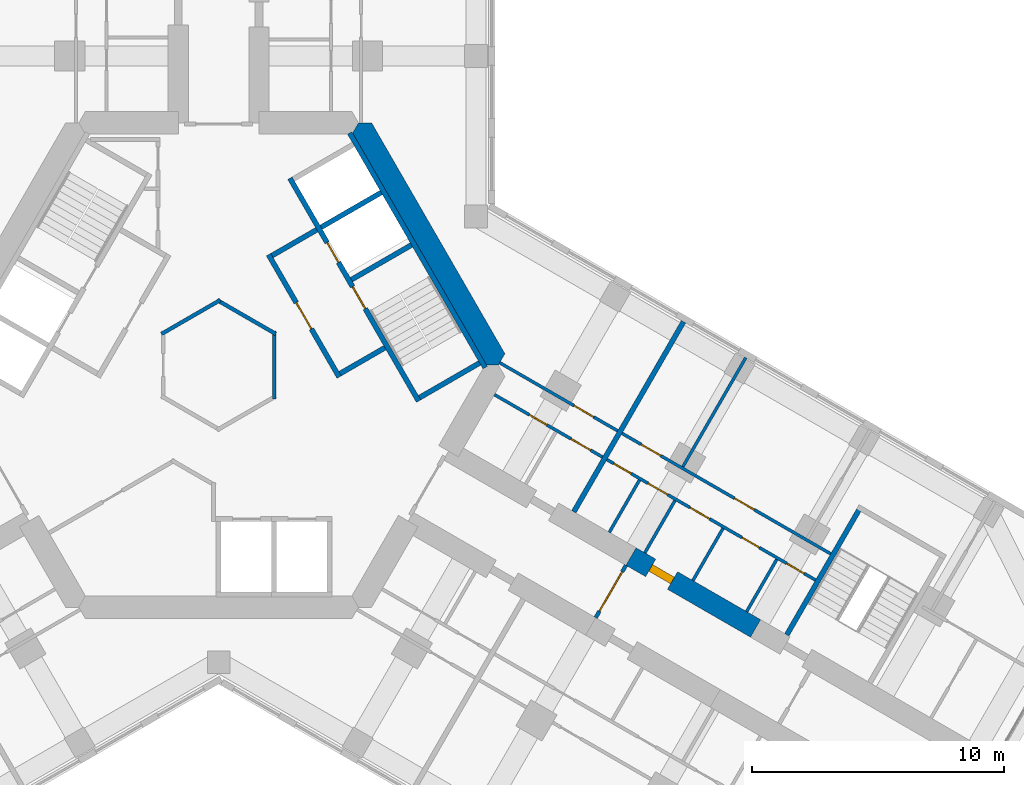
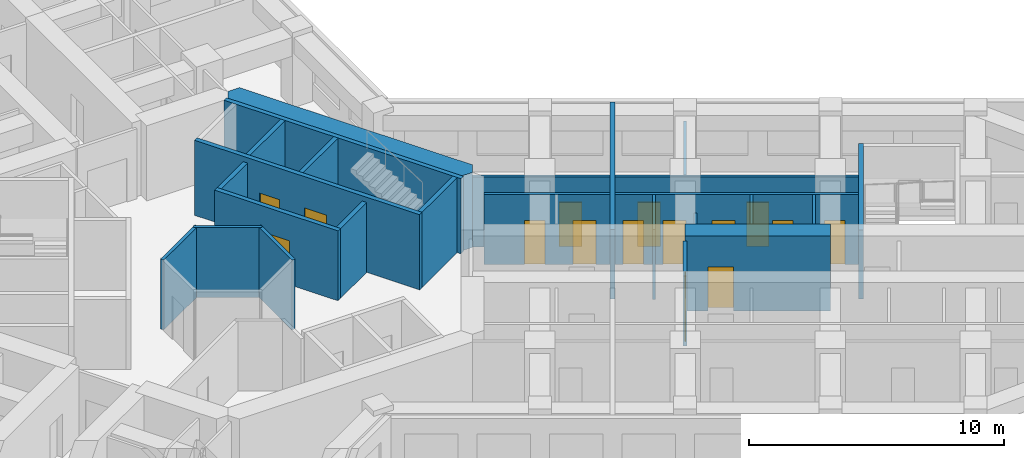
# One storey, part 15 of 19: 25 walls, 15 doors, 15 openings.
"""IFC4 building model written with IfcOpenShell, lengths in metres."""

from ifc_helpers import new_model, si_unit, direction, frame, frame_2d, origin, place, context, subcontext, project, spatial, polyline, rectangle, outline, extrude, material, layer, layer_set, type_object, element, fill, save


model = new_model("IFC4")

# Units and contexts
model_context = context("Model", 3, precision=1e-05, world=origin(), true_north=direction((0.0, 1.0)))
body_context = subcontext(model_context, "Body", "Model", "MODEL_VIEW")
ifc_project = project(units=[si_unit("LENGTHUNIT", "METRE"), si_unit("AREAUNIT", "SQUARE_METRE"), si_unit("VOLUMEUNIT", "CUBIC_METRE"), si_unit("PLANEANGLEUNIT", "RADIAN"), si_unit("MASSUNIT", "GRAM", prefix="KILO")], contexts=[model_context])

# Site, building, storey
site_placement = place(None, origin())
site = spatial("IfcSite", under=ifc_project, at=site_placement, CompositionType="ELEMENT")
building_placement = place(site_placement, origin())
building = spatial("IfcBuilding", under=site, at=building_placement, Name="Kosmar Iwan School Tower", CompositionType="ELEMENT")
storey_placement = place(building_placement, frame((0.0, 0.0, 145.39990234375)))
storey = spatial("IfcBuildingStorey", under=building, at=storey_placement, Name="L36", CompositionType="ELEMENT", Elevation=145.39990234375)

# Walls
ifc_material_1 = material(Name="Gypsum board on steel studs, fire-rated", Category="steel")
ifc_layer_1 = layer(ifc_material_1, 0.14990234375)
ifc_layer_set_1 = layer_set([ifc_layer_1], Name="Core room partition 150")
wall_type_1 = type_object("IfcWallType", Name="Core room partition 150", PredefinedType="PARTITIONING", material=ifc_layer_set_1)
for number, where, z_axis, x_axis, name in (
    (1, (-2.264892578125, 1.232666015625, 0.0), (0.0, 0.0, 1.0), (0.866011792348, 0.500023574959, 0.0), "Core room partition L36-CW11"),
    (2, (-0.06494140625, 2.577880859375, 0.0), (0.0, 0.0, 1.0), (0.866011792348, -0.500023574959, 0.0), "Core room partition L36-CW12"),
):
    element("IfcWall", number, at=place(storey_placement, frame(where, z_axis=z_axis, x_axis=x_axis)), inside=storey, type_object=wall_type_1, Name=name, PredefinedType="PARTITIONING", context=body_context, shape_type="SweptSolid", body=[
        extrude(rectangle(XDim=2.690185546875, YDim=0.14990234375, at=frame_2d((1.34521484375, 0.0))), origin(), (0.0, 0.0, 1.0), 3.35009765625),
    ])
wall_1_placement = place(storey_placement, frame((2.199951171875, 1.34521484375, 0.0), z_axis=(0.0, 0.0, 1.0), x_axis=(0.0, -1.0, 0.0)))
element("IfcWall", 3, at=wall_1_placement, inside=storey, type_object=wall_type_1, Name="Core room partition L36-CW13", PredefinedType="PARTITIONING", context=body_context, shape_type="SweptSolid", body=[
    extrude(rectangle(XDim=2.6904296875, YDim=0.14990234375, at=frame_2d((1.34521484375, 0.0))), origin(), (0.0, 0.0, 1.0), 3.35009765625),
])
ifc_material_2 = material(Name="Concrete C50/60", Category="concrete")
ifc_layer_2 = layer(ifc_material_2, 0.89990234375)
ifc_layer_set_2 = layer_set([ifc_layer_2], Name="Core wall 900")
wall_type_2 = type_object("IfcWallType", Name="Core wall 900", PredefinedType="SHEAR", material=ifc_layer_set_2)
wall_2_placement = place(storey_placement, origin())
element("IfcWall", 4, at=wall_2_placement, inside=storey, type_object=wall_type_2, Name="Core wall F030", PredefinedType="SHEAR", context=body_context, shape_type="SweptSolid", body=[
    extrude(outline(polyline([(10.5654296875, 0.0), (11.085205078125, 0.0), (11.344970703125, 0.449951171875), (6.062255859375, 9.60009765625), (5.54248046875, 9.60009765625), (5.28271484375, 9.14990234375), (10.5654296875, 0.0)])), origin(), (0.0, 0.0, 1.0), 3.60009765625),
])

# Wall, opening, door
ifc_material_3 = material(Name="Concrete C50/60", Category="concrete")
ifc_layer_3 = layer(ifc_material_3, 0.800048828125)
ifc_layer_set_3 = layer_set([ifc_layer_3], Name="Corridor buttress wall 800")
wall_type_3 = type_object("IfcWallType", Name="Corridor buttress wall 800", PredefinedType="SHEAR", material=ifc_layer_set_3)
wall_3_placement = place(storey_placement, frame((16.34521484375, -7.58935546875, 0.0), z_axis=(0.0, 0.0, 1.0), x_axis=(0.866015111908, -0.50001782563, 0.0)))
wall_3 = element("IfcWall", 5, at=wall_3_placement, inside=storey, type_object=wall_type_3, Name="Corridor wall CL bay 2", PredefinedType="SHEAR", context=body_context, shape_type="SweptSolid", body=[
    extrude(rectangle(XDim=5.699951171875, YDim=0.800048828125, at=frame_2d((2.85009765625, 0.0))), origin(), (0.0, 0.0, 1.0), 3.60009765625),
])
opening_1_placement = place(wall_3_placement, frame((0.89990234375, 0.0, 0.0)))
opening_1 = element("IfcOpeningElement", 6, at=opening_1_placement, cuts=wall_3, Name="Opening D1", PredefinedType="OPENING", context=body_context, shape_type="SweptSolid", body=[
    extrude(rectangle(XDim=1.0, YDim=2.10009765625, at=frame_2d((0.5, 1.050048828125))), frame((0.0, 0.412109375, 0.0), z_axis=(0.0, -1.0, 0.0), x_axis=(1.0, 0.0, 0.0)), (0.0, 0.0, 1.0), 0.823974609375),
])
ifc_material_4 = material(Name="Timber fire door in steel frame", Category="steel")
door_type_1 = type_object("IfcDoorType", Name="Flat entrance door 1000x2100", OperationType="SINGLE_SWING_LEFT", PredefinedType="DOOR", material=ifc_material_4)
door_1_placement = place(opening_1_placement, origin())
door_1 = element("IfcDoor", 7, at=door_1_placement, inside=storey, type_object=door_type_1, Name="Flat L36-CL2 entrance door", OperationType="SINGLE_SWING_LEFT", OverallHeight=2.10009765625, OverallWidth=1.0, PredefinedType="DOOR", context=body_context, shape_type="SweptSolid", body=[
    extrude(rectangle(XDim=1.0, YDim=2.10009765625, at=frame_2d((0.5, 1.050048828125))), frame((0.0, 0.14990234375, 0.0), z_axis=(0.0, -1.0, 0.0), x_axis=(1.0, 0.0, 0.0)), (0.0, 0.0, 1.0), 0.300048828125),
])
fill(opening_1, door_1)

ifc_material_5 = material(Name="Gypsum board on steel studs, fire-rated", Category="steel")
ifc_layer_4 = layer(ifc_material_5, 0.14990234375)
ifc_layer_set_4 = layer_set([ifc_layer_4], Name="Corridor end wall 150")
wall_type_4 = type_object("IfcWallType", Name="Corridor end wall 150", PredefinedType="PARTITIONING", material=ifc_layer_set_4)
wall_4_placement = place(storey_placement, frame((14.945068359375, -10.01416015625, 0.0), z_axis=(0.0, 0.0, 1.0), x_axis=(0.500077600433, 0.865980596518, 0.0)))
wall_4 = element("IfcWall", 8, at=wall_4_placement, inside=storey, type_object=wall_type_4, Name="Partition L36-C-HW", PredefinedType="PARTITIONING", context=body_context, shape_type="SweptSolid", body=[
    extrude(rectangle(XDim=2.39990234375, YDim=0.14990234375, at=frame_2d((1.199951171875, 0.0))), origin(), (0.0, 0.0, 1.0), 3.35009765625),
])
opening_2_placement = place(wall_4_placement, frame((0.300048828125, 0.0, 0.0)))
opening_2 = element("IfcOpeningElement", 9, at=opening_2_placement, cuts=wall_4, Name="Opening D9", PredefinedType="OPENING", context=body_context, shape_type="SweptSolid", body=[
    extrude(rectangle(XDim=1.800048828125, YDim=2.10009765625, at=frame_2d((0.89990234375, 1.050048828125))), frame((0.0, 0.0869140625, 0.0), z_axis=(0.0, -1.0, 0.0), x_axis=(1.0, 0.0, 0.0)), (0.0, 0.0, 1.0), 0.173828125),
])
ifc_material_6 = material(Name="Steel framed glazed smoke door", Category="steel")
door_type_2 = type_object("IfcDoorType", Name="Corridor smoke door pair 1800x2100", OperationType="DOUBLE_DOOR_DOUBLE_SWING", PredefinedType="DOOR", material=ifc_material_6)
door_2_placement = place(opening_2_placement, origin())
door_2 = element("IfcDoor", 10, at=door_2_placement, inside=storey, type_object=door_type_2, Name="Hashti vestibule smoke doors L36-C", OperationType="DOUBLE_DOOR_DOUBLE_SWING", OverallHeight=2.10009765625, OverallWidth=1.800048828125, PredefinedType="DOOR", context=body_context, shape_type="SweptSolid", body=[
    extrude(rectangle(XDim=1.800048828125, YDim=2.10009765625, at=frame_2d((0.89990234375, 1.050048828125))), frame((0.0, 0.02490234375, 0.0), z_axis=(0.0, -1.0, 0.0), x_axis=(1.0, 0.0, 0.0)), (0.0, 0.0, 1.0), 0.050048828125),
])
fill(opening_2, door_2)

# Wall, openings, doors
ifc_material_7 = material(Name="Gypsum board on steel studs", Category="steel")
ifc_layer_5 = layer(ifc_material_7, 0.1201171875)
ifc_layer_set_5 = layer_set([ifc_layer_5], Name="Dwelling partition 120")
wall_type_5 = type_object("IfcWallType", Name="Dwelling partition 120", PredefinedType="PARTITIONING", material=ifc_layer_set_5)
wall_5_placement = place(storey_placement, frame((10.928466796875, -1.171142578125, 0.0), z_axis=(0.0, 0.0, 1.0), x_axis=(0.866018855338, -0.500011342071, 0.0)))
wall_5 = element("IfcWall", 11, at=wall_5_placement, inside=storey, type_object=wall_type_5, Name="Partition L36-CL1-W1", PredefinedType="PARTITIONING", context=body_context, shape_type="SweptSolid", body=[
    extrude(rectangle(XDim=4.9501953125, YDim=0.1201171875, at=frame_2d((2.47509765625, 0.0))), origin(), (0.0, 0.0, 1.0), 3.35009765625),
])
opening_3_placement = place(wall_5_placement, frame((1.60009765625, 0.0, 0.0)))
opening_3 = element("IfcOpeningElement", 12, at=opening_3_placement, cuts=wall_5, Name="Opening D3", PredefinedType="OPENING", context=body_context, shape_type="SweptSolid", body=[
    extrude(rectangle(XDim=0.800048828125, YDim=2.10009765625, at=frame_2d((0.39990234375, 1.050048828125))), frame((0.0, 0.072021484375, 0.0), z_axis=(0.0, -1.0, 0.0), x_axis=(1.0, 0.0, 0.0)), (0.0, 0.0, 1.0), 0.14404296875),
])
opening_4_placement = place(wall_5_placement, frame((3.5, 0.0, 0.0)))
opening_4 = element("IfcOpeningElement", 13, at=opening_4_placement, cuts=wall_5, Name="Opening D2", PredefinedType="OPENING", context=body_context, shape_type="SweptSolid", body=[
    extrude(rectangle(XDim=0.89990234375, YDim=2.10009765625, at=frame_2d((0.449951171875, 1.050048828125))), frame((0.0, 0.072021484375, 0.0), z_axis=(0.0, -1.0, 0.0), x_axis=(1.0, 0.0, 0.0)), (0.0, 0.0, 1.0), 0.14404296875),
])
ifc_material_8 = material(Name="Timber door in timber frame", Category="wood")
door_type_3 = type_object("IfcDoorType", Name="Internal door 900x2100", OperationType="SINGLE_SWING_LEFT", PredefinedType="DOOR", material=ifc_material_8)
door_3_placement = place(opening_4_placement, origin())
door_3 = element("IfcDoor", 14, at=door_3_placement, inside=storey, type_object=door_type_3, Name="Entrance hall door L36-CL1-S2", OperationType="SINGLE_SWING_RIGHT", OverallHeight=2.10009765625, OverallWidth=0.89990234375, PredefinedType="DOOR", context=body_context, shape_type="SweptSolid", body=[
    extrude(rectangle(XDim=0.89990234375, YDim=2.10009765625, at=frame_2d((0.449951171875, 1.050048828125))), frame((0.0, 0.02490234375, 0.0), z_axis=(0.0, -1.0, 0.0), x_axis=(1.0, 0.0, 0.0)), (0.0, 0.0, 1.0), 0.050048828125),
])
fill(opening_4, door_3)
ifc_material_9 = material(Name="Timber door in timber frame", Category="wood")
door_type_4 = type_object("IfcDoorType", Name="Sanitary room door 800x2100", OperationType="SINGLE_SWING_LEFT", PredefinedType="DOOR", material=ifc_material_9)
door_4_placement = place(opening_3_placement, origin())
door_4 = element("IfcDoor", 15, at=door_4_placement, inside=storey, type_object=door_type_4, Name="Bathroom door L36-CL1-S1", OperationType="SINGLE_SWING_LEFT", OverallHeight=2.10009765625, OverallWidth=0.800048828125, PredefinedType="DOOR", context=body_context, shape_type="SweptSolid", body=[
    extrude(rectangle(XDim=0.800048828125, YDim=2.10009765625, at=frame_2d((0.39990234375, 1.050048828125))), frame((0.0, 0.02490234375, 0.0), z_axis=(0.0, -1.0, 0.0), x_axis=(1.0, 0.0, 0.0)), (0.0, 0.0, 1.0), 0.050048828125),
])
fill(opening_3, door_4)

# Wall, opening, door
wall_6_placement = place(storey_placement, frame((11.138916015625, 0.093017578125, 0.0), z_axis=(0.0, 0.0, 1.0), x_axis=(0.866028230842, -0.499995103361, 0.0)))
wall_6 = element("IfcWall", 16, at=wall_6_placement, inside=storey, type_object=wall_type_5, Name="Partition L36-CL1-W2", PredefinedType="PARTITIONING", context=body_context, shape_type="SweptSolid", body=[
    extrude(rectangle(XDim=5.39990234375, YDim=0.1201171875, at=frame_2d((2.699951171875, 0.0))), origin(), (0.0, 0.0, 1.0), 3.35009765625),
])
opening_5_placement = place(wall_6_placement, frame((3.39990234375, 0.0, 0.0)))
opening_5 = element("IfcOpeningElement", 17, at=opening_5_placement, cuts=wall_6, Name="Opening D2", PredefinedType="OPENING", context=body_context, shape_type="SweptSolid", body=[
    extrude(rectangle(XDim=0.89990234375, YDim=2.10009765625, at=frame_2d((0.449951171875, 1.050048828125))), frame((0.0, 0.072021484375, 0.0), z_axis=(0.0, -1.0, 0.0), x_axis=(1.0, 0.0, 0.0)), (0.0, 0.0, 1.0), 0.14404296875),
])
door_5_placement = place(opening_5_placement, origin())
door_5 = element("IfcDoor", 18, at=door_5_placement, inside=storey, type_object=door_type_3, Name="Studio living room and kitchen door L36-CL1-F1", OperationType="SINGLE_SWING_RIGHT", OverallHeight=2.10009765625, OverallWidth=0.89990234375, PredefinedType="DOOR", context=body_context, shape_type="SweptSolid", body=[
    extrude(rectangle(XDim=0.89990234375, YDim=2.10009765625, at=frame_2d((0.449951171875, 1.050048828125))), frame((0.0, 0.02490234375, 0.0), z_axis=(0.0, -1.0, 0.0), x_axis=(1.0, 0.0, 0.0)), (0.0, 0.0, 1.0), 0.050048828125),
])
fill(opening_5, door_5)

# Wall, openings, doors
wall_7_placement = place(storey_placement, frame((15.388671875, -3.74609375, 0.0), z_axis=(0.0, 0.0, 1.0), x_axis=(0.866017851049, -0.500013081493, 0.0)))
wall_7 = element("IfcWall", 19, at=wall_7_placement, inside=storey, type_object=wall_type_5, Name="Partition L36-CL2-W1", PredefinedType="PARTITIONING", context=body_context, shape_type="SweptSolid", body=[
    extrude(rectangle(XDim=9.550048828125, YDim=0.1201171875, at=frame_2d((4.77490234375, 0.0))), origin(), (0.0, 0.0, 1.0), 3.35009765625),
])
opening_6_placement = place(wall_7_placement, frame((0.3125, 0.0, 0.0)))
opening_6 = element("IfcOpeningElement", 20, at=opening_6_placement, cuts=wall_7, Name="Opening D3", PredefinedType="OPENING", context=body_context, shape_type="SweptSolid", body=[
    extrude(rectangle(XDim=0.800048828125, YDim=2.10009765625, at=frame_2d((0.39990234375, 1.050048828125))), frame((0.0, 0.072021484375, 0.0), z_axis=(0.0, -1.0, 0.0), x_axis=(1.0, 0.0, 0.0)), (0.0, 0.0, 1.0), 0.14404296875),
])
opening_7_placement = place(wall_7_placement, frame((1.887451171875, 0.0, 0.0)))
opening_7 = element("IfcOpeningElement", 21, at=opening_7_placement, cuts=wall_7, Name="Opening D2", PredefinedType="OPENING", context=body_context, shape_type="SweptSolid", body=[
    extrude(rectangle(XDim=0.89990234375, YDim=2.10009765625, at=frame_2d((0.449951171875, 1.050048828125))), frame((0.0, 0.072021484375, 0.0), z_axis=(0.0, -1.0, 0.0), x_axis=(1.0, 0.0, 0.0)), (0.0, 0.0, 1.0), 0.14404296875),
])
opening_8_placement = place(wall_7_placement, frame((3.800048828125, 0.0, 0.0)))
opening_8 = element("IfcOpeningElement", 22, at=opening_8_placement, cuts=wall_7, Name="Opening D2", PredefinedType="OPENING", context=body_context, shape_type="SweptSolid", body=[
    extrude(rectangle(XDim=0.89990234375, YDim=2.10009765625, at=frame_2d((0.449951171875, 1.050048828125))), frame((0.0, 0.072021484375, 0.0), z_axis=(0.0, -1.0, 0.0), x_axis=(1.0, 0.0, 0.0)), (0.0, 0.0, 1.0), 0.14404296875),
])
opening_9_placement = place(wall_7_placement, frame((6.179931640625, 0.0, 0.0)))
opening_9 = element("IfcOpeningElement", 23, at=opening_9_placement, cuts=wall_7, Name="Opening D3", PredefinedType="OPENING", context=body_context, shape_type="SweptSolid", body=[
    extrude(rectangle(XDim=0.800048828125, YDim=2.10009765625, at=frame_2d((0.39990234375, 1.050048828125))), frame((0.0, 0.072021484375, 0.0), z_axis=(0.0, -1.0, 0.0), x_axis=(1.0, 0.0, 0.0)), (0.0, 0.0, 1.0), 0.14404296875),
])
opening_10_placement = place(wall_7_placement, frame((8.22998046875, 0.0, 0.0)))
opening_10 = element("IfcOpeningElement", 24, at=opening_10_placement, cuts=wall_7, Name="Opening D3", PredefinedType="OPENING", context=body_context, shape_type="SweptSolid", body=[
    extrude(rectangle(XDim=0.800048828125, YDim=2.10009765625, at=frame_2d((0.39990234375, 1.050048828125))), frame((0.0, 0.072021484375, 0.0), z_axis=(0.0, -1.0, 0.0), x_axis=(1.0, 0.0, 0.0)), (0.0, 0.0, 1.0), 0.14404296875),
])
door_6_placement = place(opening_7_placement, frame((0.89990234375, 0.0, 0.0), z_axis=(0.0, 0.0, 1.0), x_axis=(-1.0, 0.0, 0.0)))
door_6 = element("IfcDoor", 25, at=door_6_placement, inside=storey, type_object=door_type_3, Name="Pantry door L36-CL2-S2", OperationType="SINGLE_SWING_RIGHT", OverallHeight=2.10009765625, OverallWidth=0.89990234375, PredefinedType="DOOR", context=body_context, shape_type="SweptSolid", body=[
    extrude(rectangle(XDim=0.89990234375, YDim=2.10009765625, at=frame_2d((0.449951171875, 1.050048828125))), frame((0.0, 0.02490234375, 0.0), z_axis=(0.0, -1.0, 0.0), x_axis=(1.0, 0.0, 0.0)), (0.0, 0.0, 1.0), 0.050048828125),
])
fill(opening_7, door_6)
door_7_placement = place(opening_8_placement, origin())
door_7 = element("IfcDoor", 26, at=door_7_placement, inside=storey, type_object=door_type_3, Name="Entrance hall door L36-CL2-S3", OperationType="SINGLE_SWING_LEFT", OverallHeight=2.10009765625, OverallWidth=0.89990234375, PredefinedType="DOOR", context=body_context, shape_type="SweptSolid", body=[
    extrude(rectangle(XDim=0.89990234375, YDim=2.10009765625, at=frame_2d((0.449951171875, 1.050048828125))), frame((0.0, 0.02490234375, 0.0), z_axis=(0.0, -1.0, 0.0), x_axis=(1.0, 0.0, 0.0)), (0.0, 0.0, 1.0), 0.050048828125),
])
fill(opening_8, door_7)
door_8_placement = place(opening_6_placement, origin())
door_8 = element("IfcDoor", 27, at=door_8_placement, inside=storey, type_object=door_type_4, Name="Store door L36-CL2-S1", OperationType="SINGLE_SWING_LEFT", OverallHeight=2.10009765625, OverallWidth=0.800048828125, PredefinedType="DOOR", context=body_context, shape_type="SweptSolid", body=[
    extrude(rectangle(XDim=0.800048828125, YDim=2.10009765625, at=frame_2d((0.39990234375, 1.050048828125))), frame((0.0, 0.02490234375, 0.0), z_axis=(0.0, -1.0, 0.0), x_axis=(1.0, 0.0, 0.0)), (0.0, 0.0, 1.0), 0.050048828125),
])
fill(opening_6, door_8)
door_9_placement = place(opening_9_placement, origin())
door_9 = element("IfcDoor", 28, at=door_9_placement, inside=storey, type_object=door_type_4, Name="Bathroom door L36-CL2-S4", OperationType="SINGLE_SWING_RIGHT", OverallHeight=2.10009765625, OverallWidth=0.800048828125, PredefinedType="DOOR", context=body_context, shape_type="SweptSolid", body=[
    extrude(rectangle(XDim=0.800048828125, YDim=2.10009765625, at=frame_2d((0.39990234375, 1.050048828125))), frame((0.0, 0.02490234375, 0.0), z_axis=(0.0, -1.0, 0.0), x_axis=(1.0, 0.0, 0.0)), (0.0, 0.0, 1.0), 0.050048828125),
])
fill(opening_9, door_9)
door_10_placement = place(opening_10_placement, origin())
door_10 = element("IfcDoor", 29, at=door_10_placement, inside=storey, type_object=door_type_4, Name="WC door L36-CL2-S5", OperationType="SINGLE_SWING_RIGHT", OverallHeight=2.10009765625, OverallWidth=0.800048828125, PredefinedType="DOOR", context=body_context, shape_type="SweptSolid", body=[
    extrude(rectangle(XDim=0.800048828125, YDim=2.10009765625, at=frame_2d((0.39990234375, 1.050048828125))), frame((0.0, 0.02490234375, 0.0), z_axis=(0.0, -1.0, 0.0), x_axis=(1.0, 0.0, 0.0)), (0.0, 0.0, 1.0), 0.050048828125),
])
fill(opening_10, door_10)

wall_8_placement = place(storey_placement, frame((15.988525390625, -2.70703125, 0.0), z_axis=(0.0, 0.0, 1.0), x_axis=(0.866028920859, -0.499993908199, 0.0)))
wall_8 = element("IfcWall", 30, at=wall_8_placement, inside=storey, type_object=wall_type_5, Name="Partition L36-CL2-W2", PredefinedType="PARTITIONING", context=body_context, shape_type="SweptSolid", body=[
    extrude(rectangle(XDim=9.5498046875, YDim=0.1201171875, at=frame_2d((4.77490234375, 0.0))), origin(), (0.0, 0.0, 1.0), 3.35009765625),
])
opening_11_placement = place(wall_8_placement, frame((0.875, 0.0, 0.0)))
opening_11 = element("IfcOpeningElement", 31, at=opening_11_placement, cuts=wall_8, Name="Opening D2", PredefinedType="OPENING", context=body_context, shape_type="SweptSolid", body=[
    extrude(rectangle(XDim=0.89990234375, YDim=2.10009765625, at=frame_2d((0.449951171875, 1.050048828125))), frame((0.0, 0.072021484375, 0.0), z_axis=(0.0, -1.0, 0.0), x_axis=(1.0, 0.0, 0.0)), (0.0, 0.0, 1.0), 0.14404296875),
])
opening_12_placement = place(wall_8_placement, frame((5.14990234375, 0.0, 0.0)))
opening_12 = element("IfcOpeningElement", 32, at=opening_12_placement, cuts=wall_8, Name="Opening D2", PredefinedType="OPENING", context=body_context, shape_type="SweptSolid", body=[
    extrude(rectangle(XDim=0.89990234375, YDim=2.10009765625, at=frame_2d((0.449951171875, 1.050048828125))), frame((0.0, 0.072021484375, 0.0), z_axis=(0.0, -1.0, 0.0), x_axis=(1.0, 0.0, 0.0)), (0.0, 0.0, 1.0), 0.14404296875),
])
door_11_placement = place(opening_11_placement, origin())
door_11 = element("IfcDoor", 33, at=door_11_placement, inside=storey, type_object=door_type_3, Name="Bedroom 1 door L36-CL2-F1", OperationType="SINGLE_SWING_RIGHT", OverallHeight=2.10009765625, OverallWidth=0.89990234375, PredefinedType="DOOR", context=body_context, shape_type="SweptSolid", body=[
    extrude(rectangle(XDim=0.89990234375, YDim=2.10009765625, at=frame_2d((0.449951171875, 1.050048828125))), frame((0.0, 0.02490234375, 0.0), z_axis=(0.0, -1.0, 0.0), x_axis=(1.0, 0.0, 0.0)), (0.0, 0.0, 1.0), 0.050048828125),
])
fill(opening_11, door_11)
door_12_placement = place(opening_12_placement, origin())
door_12 = element("IfcDoor", 34, at=door_12_placement, inside=storey, type_object=door_type_3, Name="Family room and kitchen door L36-CL2-F2", OperationType="SINGLE_SWING_LEFT", OverallHeight=2.10009765625, OverallWidth=0.89990234375, PredefinedType="DOOR", context=body_context, shape_type="SweptSolid", body=[
    extrude(rectangle(XDim=0.89990234375, YDim=2.10009765625, at=frame_2d((0.449951171875, 1.050048828125))), frame((0.0, 0.02490234375, 0.0), z_axis=(0.0, -1.0, 0.0), x_axis=(1.0, 0.0, 0.0)), (0.0, 0.0, 1.0), 0.050048828125),
])
fill(opening_12, door_12)

# Walls
wall_9_placement = place(storey_placement, frame((18.400146484375, -4.030029296875, 0.0), z_axis=(0.0, 0.0, 1.0), x_axis=(0.500011847778, 0.866018563358, 0.0)))
element("IfcWall", 35, at=wall_9_placement, inside=storey, type_object=wall_type_5, Name="Partition L36-CL2-X1", PredefinedType="PARTITIONING", context=body_context, shape_type="SweptSolid", body=[
    extrude(rectangle(XDim=4.990234375, YDim=0.1201171875, at=frame_2d((2.4951171875, 0.0))), origin(), (0.0, 0.0, 1.0), 2.4501953125),
])
wall_10_placement = place(storey_placement, frame((15.484375, -6.63037109375, 0.0), z_axis=(0.0, 0.0, 1.0), x_axis=(0.499940577336, 0.866059708757, 0.0)))
element("IfcWall", 36, at=wall_10_placement, inside=storey, type_object=wall_type_5, Name="Partition L36-CL2-Y1", PredefinedType="PARTITIONING", context=body_context, shape_type="SweptSolid", body=[
    extrude(rectangle(XDim=2.389892578125, YDim=0.1201171875, at=frame_2d((1.19482421875, 0.0))), origin(), (0.0, 0.0, 1.0), 3.35009765625),
])
wall_11_placement = place(storey_placement, frame((16.8916015625, -7.44287109375, 0.0), z_axis=(0.0, 0.0, 1.0), x_axis=(0.500017192868, 0.86601547725, 0.0)))
element("IfcWall", 37, at=wall_11_placement, inside=storey, type_object=wall_type_5, Name="Partition L36-CL2-Y2", PredefinedType="PARTITIONING", context=body_context, shape_type="SweptSolid", body=[
    extrude(rectangle(XDim=2.39013671875, YDim=0.1201171875, at=frame_2d((1.195068359375, 0.0))), origin(), (0.0, 0.0, 1.0), 2.4501953125),
])
for number, where, z_axis, x_axis, name in (
    (38, (18.796875, -8.54296875, 0.0), (0.0, 0.0, 1.0), (0.500017192868, 0.86601547725, 0.0), "Partition L36-CL2-Y3"),
    (39, (20.92724609375, -9.77294921875, 0.0), (0.0, 0.0, 1.0), (0.500017192868, 0.86601547725, 0.0), "Partition L36-CL2-Y4"),
):
    element("IfcWall", number, at=place(storey_placement, frame(where, z_axis=z_axis, x_axis=x_axis)), inside=storey, type_object=wall_type_5, Name=name, PredefinedType="PARTITIONING", context=body_context, shape_type="SweptSolid", body=[
        extrude(rectangle(XDim=2.39013671875, YDim=0.1201171875, at=frame_2d((1.195068359375, 0.0))), origin(), (0.0, 0.0, 1.0), 3.35009765625),
    ])
ifc_material_10 = material(Name="Concrete C35/45", Category="concrete")
ifc_layer_6 = layer(ifc_material_10, 0.199951171875)
ifc_layer_set_6 = layer_set([ifc_layer_6], Name="Escape stair wall 200")
wall_type_6 = type_object("IfcWallType", Name="Escape stair wall 200", PredefinedType="SHEAR", material=ifc_layer_set_6)
wall_12_placement = place(storey_placement, frame((22.520751953125, -10.69287109375, 0.0), z_axis=(0.0, 0.0, 1.0), x_axis=(0.500006628179, 0.86602157697, 0.0)))
element("IfcWall", 40, at=wall_12_placement, inside=storey, type_object=wall_type_6, Name="Stair WS3 wall", PredefinedType="SHEAR", context=body_context, shape_type="SweptSolid", body=[
    extrude(rectangle(XDim=5.89990234375, YDim=0.199951171875, at=frame_2d((2.949951171875, 0.0))), origin(), (0.0, 0.0, 1.0), 3.330078125),
])

# Wall, opening, door
ifc_material_11 = material(Name="Concrete block masonry", Category="masonry")
ifc_layer_7 = layer(ifc_material_11, 0.199951171875)
ifc_layer_set_7 = layer_set([ifc_layer_7], Name="Fire lobby wall 200")
wall_type_7 = type_object("IfcWallType", Name="Fire lobby wall 200", PredefinedType="PARTITIONING", material=ifc_layer_set_7)
wall_13_placement = place(storey_placement, frame((4.777587890625, -0.474853515625, 0.0), z_axis=(0.0, 0.0, 1.0), x_axis=(-0.500016814911, 0.866015695474, 0.0)))
wall_13 = element("IfcWall", 41, at=wall_13_placement, inside=storey, type_object=wall_type_7, Name="Firefighting lobby wall ST1", PredefinedType="PARTITIONING", context=body_context, shape_type="SweptSolid", body=[
    extrude(rectangle(XDim=5.599853515625, YDim=0.199951171875, at=frame_2d((2.7998046875, 0.0))), origin(), (0.0, 0.0, 1.0), 3.35009765625),
])
opening_13_placement = place(wall_13_placement, frame((2.199951171875, 0.0, 0.0)))
opening_13 = element("IfcOpeningElement", 42, at=opening_13_placement, cuts=wall_13, Name="Opening D7", PredefinedType="OPENING", context=body_context, shape_type="SweptSolid", body=[
    extrude(rectangle(XDim=1.199951171875, YDim=2.10009765625, at=frame_2d((0.60009765625, 1.050048828125))), frame((0.0, 0.112060546875, 0.0), z_axis=(0.0, -1.0, 0.0), x_axis=(1.0, 0.0, 0.0)), (0.0, 0.0, 1.0), 0.223876953125),
])
ifc_material_12 = material(Name="Steel fire door", Category="steel")
door_type_5 = type_object("IfcDoorType", Name="Fire lobby door 1200x2100", OperationType="SINGLE_SWING_LEFT", PredefinedType="DOOR", material=ifc_material_12)
door_13_placement = place(opening_13_placement, origin())
door_13 = element("IfcDoor", 43, at=door_13_placement, inside=storey, type_object=door_type_5, Name="Firefighting lobby door ST1 L36", OperationType="SINGLE_SWING_LEFT", OverallHeight=2.10009765625, OverallWidth=1.199951171875, PredefinedType="DOOR", context=body_context, shape_type="SweptSolid", body=[
    extrude(rectangle(XDim=1.199951171875, YDim=2.10009765625, at=frame_2d((0.60009765625, 1.050048828125))), frame((0.0, 0.02490234375, 0.0), z_axis=(0.0, -1.0, 0.0), x_axis=(1.0, 0.0, 0.0)), (0.0, 0.0, 1.0), 0.050048828125),
])
fill(opening_13, door_13)

# Walls
wall_14_placement = place(storey_placement, frame((4.814208984375, -0.33837890625, 0.0), z_axis=(0.0, 0.0, 1.0), x_axis=(0.865969381856, 0.500097020274, 0.0)))
element("IfcWall", 44, at=wall_14_placement, inside=storey, type_object=wall_type_7, Name="Firefighting lobby wall ST1", PredefinedType="PARTITIONING", context=body_context, shape_type="SweptSolid", body=[
    extrude(rectangle(XDim=2.0498046875, YDim=0.199951171875, at=frame_2d((1.02490234375, 0.0))), origin(), (0.0, 0.0, 1.0), 3.35009765625),
])
wall_15_placement = place(storey_placement, frame((2.114013671875, 4.33837890625, 0.0), z_axis=(0.0, 0.0, 1.0), x_axis=(0.866050731258, 0.499956128963, 0.0)))
element("IfcWall", 45, at=wall_15_placement, inside=storey, type_object=wall_type_7, Name="Firefighting lobby wall ST1", PredefinedType="PARTITIONING", context=body_context, shape_type="SweptSolid", body=[
    extrude(rectangle(XDim=2.050048828125, YDim=0.199951171875, at=frame_2d((1.02490234375, 0.0))), origin(), (0.0, 0.0, 1.0), 3.35009765625),
])

# Wall, openings, doors
ifc_material_13 = material(Name="Concrete C50/60", Category="concrete")
ifc_layer_8 = layer(ifc_material_13, 0.199951171875)
ifc_layer_set_8 = layer_set([ifc_layer_8], Name="Lift shaft wall 200")
wall_type_8 = type_object("IfcWallType", Name="Lift shaft wall 200", PredefinedType="SHEAR", material=ifc_layer_set_8)
wall_16_placement = place(storey_placement, frame((7.926025390625, -1.42822265625, 0.0), z_axis=(0.0, 0.0, 1.0), x_axis=(-0.499998023675, 0.866026544813, 0.0)))
wall_16 = element("IfcWall", 46, at=wall_16_placement, inside=storey, type_object=wall_type_8, Name="Lift and stair front wall AC", PredefinedType="SHEAR", context=body_context, shape_type="SweptSolid", body=[
    extrude(rectangle(XDim=10.19970703125, YDim=0.199951171875, at=frame_2d((5.099853515625, 0.0))), origin(), (0.0, 0.0, 1.0), 3.60009765625),
])
opening_14_placement = place(wall_16_placement, frame((6.35009765625, 0.0, 0.0)))
opening_14 = element("IfcOpeningElement", 47, at=opening_14_placement, cuts=wall_16, Name="Opening LD2", PredefinedType="OPENING", context=body_context, shape_type="SweptSolid", body=[
    extrude(rectangle(XDim=0.89990234375, YDim=2.10009765625, at=frame_2d((0.449951171875, 1.050048828125))), frame((0.0, 0.112060546875, 0.0), z_axis=(0.0, -1.0, 0.0), x_axis=(1.0, 0.0, 0.0)), (0.0, 0.0, 1.0), 0.223876953125),
])
opening_15_placement = place(wall_16_placement, frame((4.22998046875, 0.0, 0.0)))
opening_15 = element("IfcOpeningElement", 48, at=opening_15_placement, cuts=wall_16, Name="Opening D6", PredefinedType="OPENING", context=body_context, shape_type="SweptSolid", body=[
    extrude(rectangle(XDim=1.0, YDim=2.10009765625, at=frame_2d((0.5, 1.050048828125))), frame((0.0, 0.112060546875, 0.0), z_axis=(0.0, -1.0, 0.0), x_axis=(1.0, 0.0, 0.0)), (0.0, 0.0, 1.0), 0.223876953125),
])
ifc_material_14 = material(Name="Stainless steel sliding lift door", Category="steel")
door_type_6 = type_object("IfcDoorType", Name="Firefighting lift landing door 900x2100", OperationType="SLIDING_TO_LEFT", PredefinedType="DOOR", material=ifc_material_14)
door_14_placement = place(opening_14_placement, origin())
door_14 = element("IfcDoor", 49, at=door_14_placement, inside=storey, type_object=door_type_6, Name="Lift FF1 landing door L36", OperationType="SLIDING_TO_LEFT", OverallHeight=2.10009765625, OverallWidth=0.89990234375, PredefinedType="DOOR", context=body_context, shape_type="SweptSolid", body=[
    extrude(rectangle(XDim=0.89990234375, YDim=2.10009765625, at=frame_2d((0.449951171875, 1.050048828125))), frame((0.0, 0.02490234375, 0.0), z_axis=(0.0, -1.0, 0.0), x_axis=(1.0, 0.0, 0.0)), (0.0, 0.0, 1.0), 0.050048828125),
])
fill(opening_14, door_14)
ifc_material_15 = material(Name="Steel fire door", Category="steel")
door_type_7 = type_object("IfcDoorType", Name="Stair door 1000x2100", OperationType="SINGLE_SWING_LEFT", PredefinedType="DOOR", material=ifc_material_15)
door_15_placement = place(opening_15_placement, origin())
door_15 = element("IfcDoor", 50, at=door_15_placement, inside=storey, type_object=door_type_7, Name="Stair ST1 door L36", OperationType="SINGLE_SWING_LEFT", OverallHeight=2.10009765625, OverallWidth=1.0, PredefinedType="DOOR", context=body_context, shape_type="SweptSolid", body=[
    extrude(rectangle(XDim=1.0, YDim=2.10009765625, at=frame_2d((0.5, 1.050048828125))), frame((0.0, 0.02490234375, 0.0), z_axis=(0.0, -1.0, 0.0), x_axis=(1.0, 0.0, 0.0)), (0.0, 0.0, 1.0), 0.050048828125),
])
fill(opening_15, door_15)

# Walls
wall_17_placement = place(storey_placement, frame((10.5654296875, -0.10009765625, 0.0), z_axis=(0.0, 0.0, 1.0), x_axis=(-0.499999935134, 0.866025441235, 0.0)))
element("IfcWall", 51, at=wall_17_placement, inside=storey, type_object=wall_type_8, Name="Lift and stair back wall AC", PredefinedType="SHEAR", context=body_context, shape_type="SweptSolid", body=[
    extrude(rectangle(XDim=10.73876953125, YDim=0.199951171875, at=frame_2d((5.369384765625, 0.0))), origin(), (0.0, 0.0, 1.0), 3.60009765625),
])
wall_18_placement = place(storey_placement, frame((4.062744140625, 5.46337890625, 0.0), z_axis=(0.0, 0.0, 1.0), x_axis=(0.866027397988, 0.499996545922, 0.0)))
element("IfcWall", 52, at=wall_18_placement, inside=storey, type_object=wall_type_8, Name="Lift shaft wall AC 1", PredefinedType="SHEAR", context=body_context, shape_type="SweptSolid", body=[
    extrude(rectangle(XDim=2.75, YDim=0.199951171875, at=frame_2d((1.375, 0.0))), origin(), (0.0, 0.0, 1.0), 3.60009765625),
])
ifc_material_16 = material(Name="Concrete block masonry", Category="masonry")
ifc_layer_9 = layer(ifc_material_16, 0.199951171875)
ifc_layer_set_9 = layer_set([ifc_layer_9], Name="Party wall 200")
wall_type_9 = type_object("IfcWallType", Name="Party wall 200", PredefinedType="PARTITIONING", material=ifc_layer_set_9)
wall_19_placement = place(storey_placement, frame((14.076904296875, -5.81787109375, 0.0), z_axis=(0.0, 0.0, 1.0), x_axis=(0.500008278454, 0.866020624164, 0.0)))
element("IfcWall", 53, at=wall_19_placement, inside=storey, type_object=wall_type_9, Name="Partition L36-CL2-PW", PredefinedType="PARTITIONING", context=body_context, shape_type="SweptSolid", body=[
    extrude(rectangle(XDim=8.699951171875, YDim=0.199951171875, at=frame_2d((4.35009765625, 0.0))), origin(), (0.0, 0.0, 1.0), 3.35009765625),
])
ifc_material_17 = material(Name="Concrete C50/60", Category="concrete")
ifc_layer_10 = layer(ifc_material_17, 0.199951171875)
ifc_layer_set_10 = layer_set([ifc_layer_10], Name="Stair enclosure wall 200")
wall_type_10 = type_object("IfcWallType", Name="Stair enclosure wall 200", PredefinedType="SHEAR", material=ifc_layer_set_10)
for number, where, z_axis, x_axis, name in (
    (54, (7.962646484375, -1.291748046875, 0.0), (0.0, 0.0, 1.0), (0.866027397988, 0.499996545922, 0.0), "Stair ST1 wall"),
    (55, (5.2626953125, 3.384765625, 0.0), (0.0, 0.0, 1.0), (0.866027397988, 0.499996545922, 0.0), "Stair ST1 wall"),
):
    element("IfcWall", number, at=place(storey_placement, frame(where, z_axis=z_axis, x_axis=x_axis)), inside=storey, type_object=wall_type_10, Name=name, PredefinedType="SHEAR", context=body_context, shape_type="SweptSolid", body=[
        extrude(rectangle(XDim=2.75, YDim=0.199951171875, at=frame_2d((1.375, 0.0))), origin(), (0.0, 0.0, 1.0), 3.60009765625),
    ])

save(model, "model.ifc")
